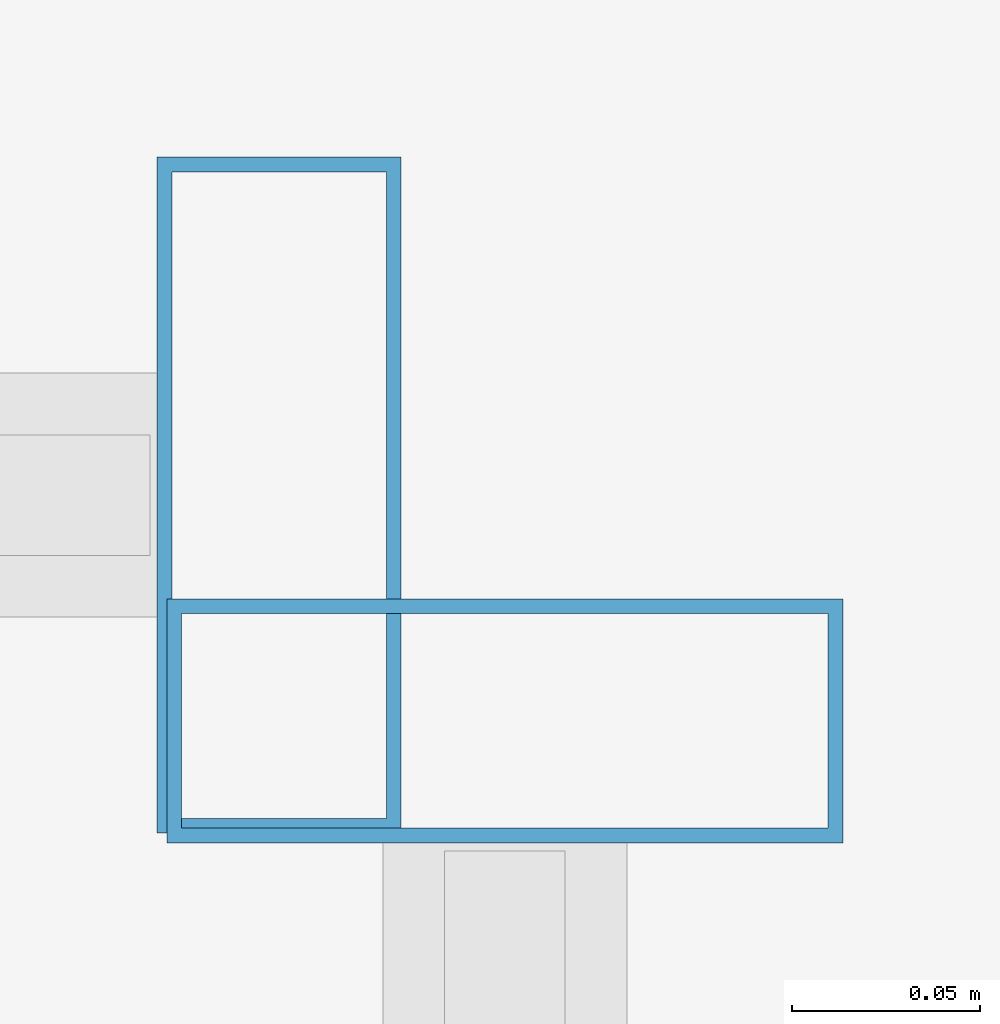
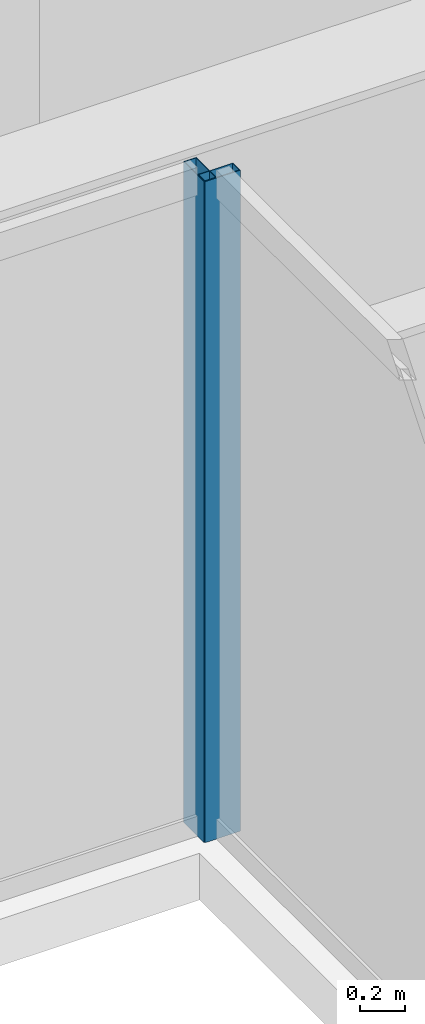
# One storey, part 13 of 37: 2 members, 2 elements without a shape of their own.
"""IFC4 building model written with IfcOpenShell, lengths in metres."""

from ifc_helpers import new_model, si_unit, direction, frame, origin, origin_2d, place, context, subcontext, project, spatial, hollow_rectangle, extrude, material, material_profile, profile_set, type_object, element, aggregate, save


model = new_model("IFC4")

# Units and contexts
model_context = context("Model", 3, precision=1e-05, world=origin(), true_north=direction((0.0, 1.0)))
body_context = subcontext(model_context, "Body", "Model", "MODEL_VIEW")
ifc_project = project(units=[si_unit("LENGTHUNIT", "METRE"), si_unit("AREAUNIT", "SQUARE_METRE"), si_unit("VOLUMEUNIT", "CUBIC_METRE"), si_unit("PLANEANGLEUNIT", "RADIAN"), si_unit("MASSUNIT", "GRAM", prefix="KILO")], contexts=[model_context])

# Site, building, storey
site_placement = place(None, origin())
site = spatial("IfcSite", under=ifc_project, at=site_placement, CompositionType="ELEMENT")
building_placement = place(site_placement, origin())
building = spatial("IfcBuilding", under=site, at=building_placement, Name="Saevonmaru Cultural Tower", CompositionType="ELEMENT")
storey_placement = place(building_placement, frame((0.0, 0.0, 163.800048828125)))
storey = spatial("IfcBuildingStorey", under=building, at=storey_placement, Name="L36", CompositionType="ELEMENT", Elevation=163.800048828125)

# Curtain wall, member
ifc_material = material(Name="Satin Bronze Anodised Aluminium", Category="aluminium")
curtain_wall_type = type_object("IfcCurtainWallType", Name="CW-ATR-GLZ", PredefinedType="NOTDEFINED", material=ifc_material)
curtain_wall_1_placement = place(storey_placement, origin())
curtain_wall_1 = element("IfcCurtainWall", 1, at=curtain_wall_1_placement, inside=storey, type_object=curtain_wall_type, Name="L36 Vertical Atrium Glazed Smoke Screen 2", PredefinedType="NOTDEFINED")
ifc_material_profile = material_profile(ifc_material, hollow_rectangle(XDim=0.06494140625, YDim=0.179931640625, WallThickness=0.00390625, at=origin_2d()), Name="ALU-MULL-180x65x4")
ifc_profile_set = profile_set([ifc_material_profile], Name="Satin Bronze Anodised Aluminium")
member_type = type_object("IfcMemberType", Name="ML-CW-INT-180x65", PredefinedType="MULLION", material=ifc_profile_set)
member_1_placement = place(storey_placement, frame((35.949951171875, 37.050048828125, 0.0), z_axis=(0.0, 0.0, 1.0), x_axis=(0.0, 1.0, 0.0)))
member_1 = element("IfcMember", 2, at=member_1_placement, type_object=member_type, Name="CW-ATR-L36-2 mullion 2", PredefinedType="MULLION", context=body_context, shape_type="SweptSolid", body=[
    extrude(hollow_rectangle(XDim=0.06494140625, YDim=0.179931640625, WallThickness=0.00390625, at=origin_2d()), origin(), (0.0, 0.0, 1.0), 3.550048828125),
])
aggregate(curtain_wall_1, [member_1])

curtain_wall_2_placement = place(storey_placement, origin())
curtain_wall_2 = element("IfcCurtainWall", 3, at=curtain_wall_2_placement, inside=storey, type_object=curtain_wall_type, Name="L36 Vertical Atrium Glazed Smoke Screen 3", PredefinedType="NOTDEFINED")
member_2_placement = place(storey_placement, frame((35.889892578125, 37.110107421875, 0.0), z_axis=(0.0, 0.0, 1.0), x_axis=(-1.0, 0.0, 0.0)))
member_2 = element("IfcMember", 4, at=member_2_placement, type_object=member_type, Name="CW-ATR-L36-3 mullion 1", PredefinedType="MULLION", context=body_context, shape_type="SweptSolid", body=[
    extrude(hollow_rectangle(XDim=0.06494140625, YDim=0.179931640625, WallThickness=0.00390625, at=origin_2d()), origin(), (0.0, 0.0, 1.0), 3.550048828125),
])
aggregate(curtain_wall_2, [member_2])

save(model, "model.ifc")
